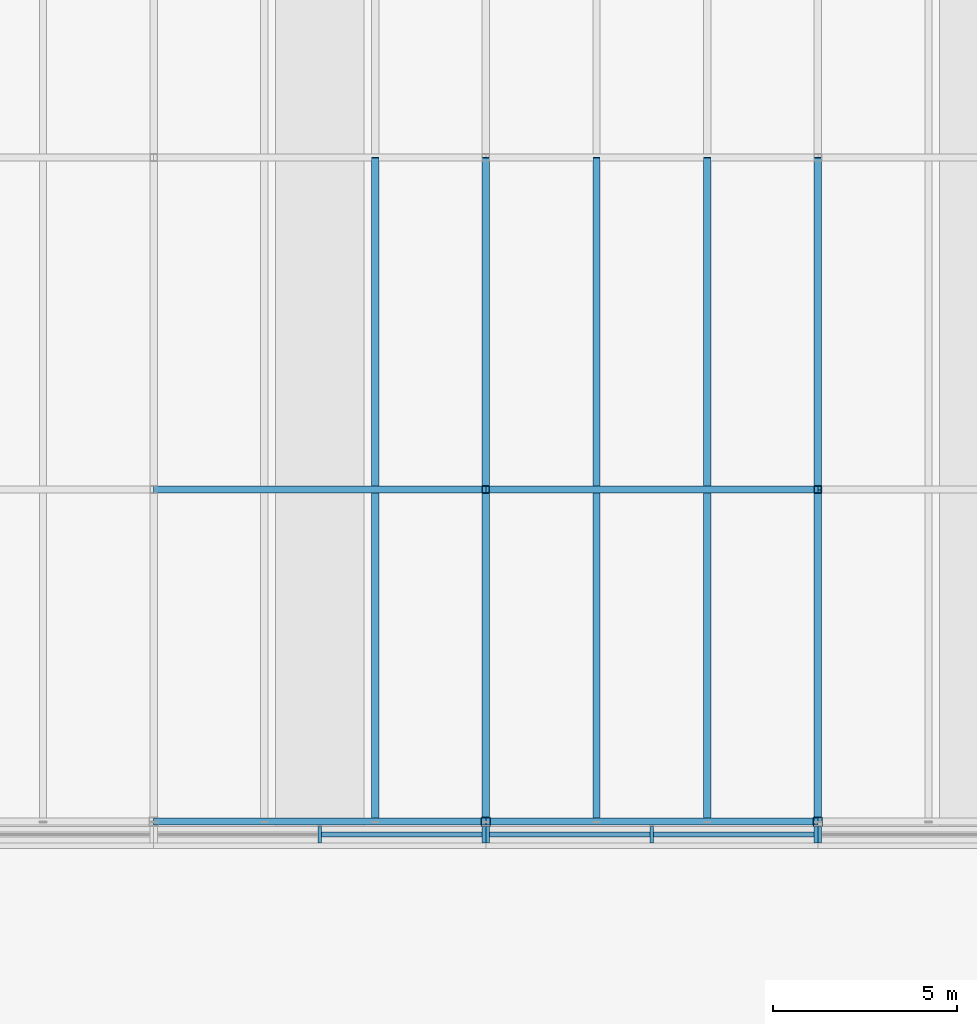
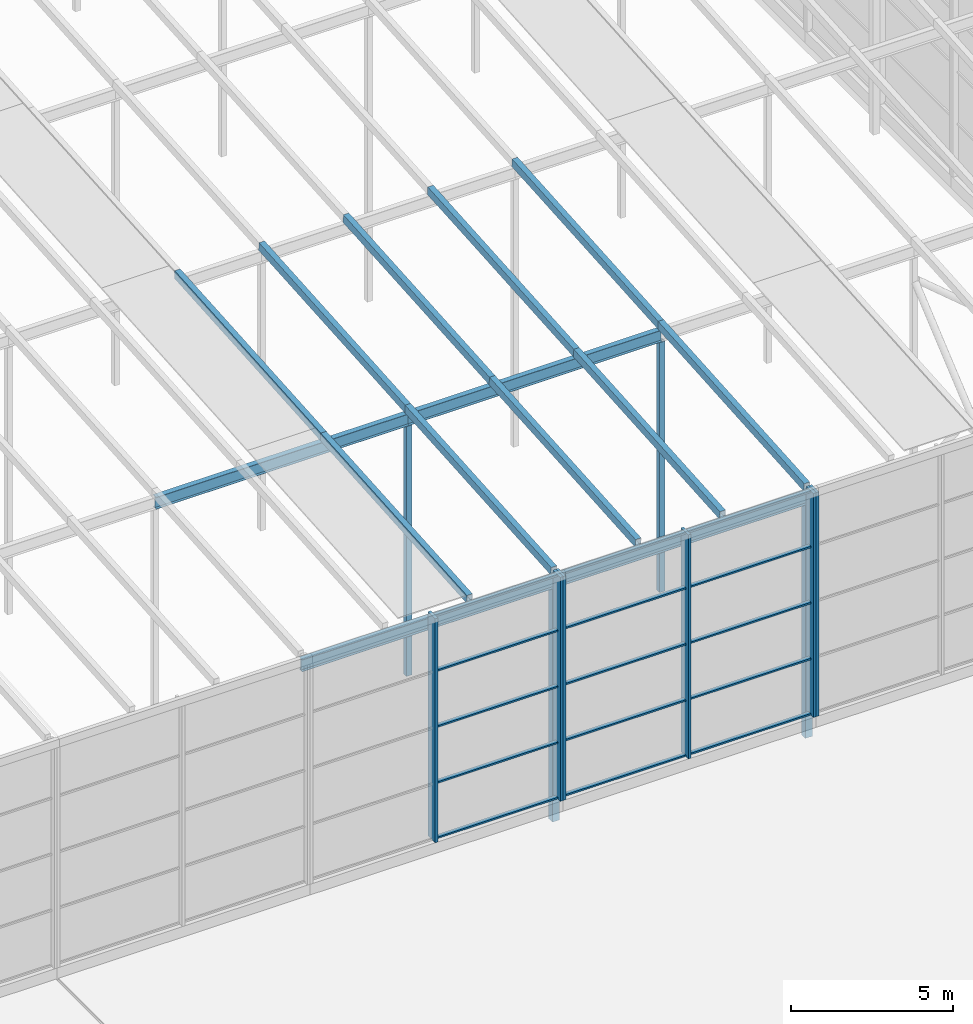
# One storey, part 17 of 84: 35 members, 4 beams, 3 elements without a shape of their own.
"""IFC4 building model written with IfcOpenShell, lengths in metres."""

from ifc_helpers import new_model, si_unit, direction, frame, origin, origin_2d, place, context, subcontext, project, spatial, rectangle, hollow_rectangle, i_section, extrude, material, material_profile, profile_set, type_object, element, aggregate, save


model = new_model("IFC4")

# Units and contexts
model_context = context("Model", 3, precision=1e-05, world=origin(), true_north=direction((0.0, 1.0)))
body_context = subcontext(model_context, "Body", "Model", "MODEL_VIEW")
ifc_project = project(units=[si_unit("LENGTHUNIT", "METRE"), si_unit("AREAUNIT", "SQUARE_METRE"), si_unit("VOLUMEUNIT", "CUBIC_METRE"), si_unit("PLANEANGLEUNIT", "RADIAN"), si_unit("MASSUNIT", "GRAM", prefix="KILO")], contexts=[model_context])

# Site, building, storey
site_placement = place(None, origin())
site = spatial("IfcSite", under=ifc_project, at=site_placement, CompositionType="ELEMENT")
building_placement = place(site_placement, origin())
building = spatial("IfcBuilding", under=site, at=building_placement, Name="Silverbay Arena", CompositionType="ELEMENT")
storey_placement = place(building_placement, frame((0.0, 0.0, 47.10009765625)))
storey = spatial("IfcBuildingStorey", under=building, at=storey_placement, Name="ROOF", CompositionType="ELEMENT", Elevation=47.10009765625)

# Curtain wall, members
ifc_material_1 = material(Name="Aluminium framed glazing", Category="aluminium")
curtain_wall_type = type_object("IfcCurtainWallType", Name="Curtain wall crown 9000 x 8425", PredefinedType="NOTDEFINED", material=ifc_material_1)
curtain_wall_1_placement = place(storey_placement, origin())
curtain_wall_1 = element("IfcCurtainWall", 1, at=curtain_wall_1_placement, inside=storey, type_object=curtain_wall_type, Name="ROOF CROWN CURTAIN WALL south bay 08", PredefinedType="NOTDEFINED")
ifc_material_2 = material(Name="Aluminium", Category="aluminium")
ifc_material_profile_1 = material_profile(ifc_material_2, rectangle(XDim=0.449951171875, YDim=0.10009765625, at=origin_2d()), Name="Mullion 100 x 450")
ifc_profile_set_1 = profile_set([ifc_material_profile_1], Name="Aluminium")
member_type_1 = type_object("IfcMemberType", Name="Mullion 100 x 450", PredefinedType="MULLION", material=ifc_profile_set_1)
placement = place(building_placement, frame((0.0, 0.0, 33.5)))
member_1_placement = place(placement, frame((148.5, 26.64990234375, 14.050048828125), z_axis=(0.0, 0.0, 1.0), x_axis=(0.0, 1.0, 0.0)))
member_1 = element("IfcMember", 2, at=member_1_placement, type_object=member_type_1, Name="CW62 mullion 2", PredefinedType="MULLION", context=body_context, shape_type="SweptSolid", body=[
    extrude(rectangle(XDim=0.449951171875, YDim=0.10009765625, at=origin_2d()), origin(), (0.0, 0.0, 1.0), 8.424560546875),
])
member_2_placement = place(placement, frame((152.949951171875, 26.64990234375, 14.050048828125), z_axis=(0.0, 0.0, 1.0), x_axis=(0.0, 1.0, 0.0)))
member_2 = element("IfcMember", 3, at=member_2_placement, type_object=member_type_1, Name="CW62 mullion 3", PredefinedType="MULLION", context=body_context, shape_type="SweptSolid", body=[
    extrude(rectangle(XDim=0.449951171875, YDim=0.10009765625, at=origin_2d()), origin(), (0.0, 0.0, 1.0), 8.424560546875),
])

curtain_wall_2_placement = place(storey_placement, origin())
curtain_wall_2 = element("IfcCurtainWall", 4, at=curtain_wall_2_placement, inside=storey, type_object=curtain_wall_type, Name="ROOF CROWN CURTAIN WALL south bay 09", PredefinedType="NOTDEFINED")
member_3_placement = place(placement, frame((153.050048828125, 26.64990234375, 14.050048828125), z_axis=(0.0, 0.0, 1.0), x_axis=(0.0, 1.0, 0.0)))
member_3 = element("IfcMember", 5, at=member_3_placement, type_object=member_type_1, Name="CW62 mullion 1", PredefinedType="MULLION", context=body_context, shape_type="SweptSolid", body=[
    extrude(rectangle(XDim=0.449951171875, YDim=0.10009765625, at=origin_2d()), origin(), (0.0, 0.0, 1.0), 8.424560546875),
])
member_4_placement = place(placement, frame((157.5, 26.64990234375, 14.050048828125), z_axis=(0.0, 0.0, 1.0), x_axis=(0.0, 1.0, 0.0)))
member_4 = element("IfcMember", 6, at=member_4_placement, type_object=member_type_1, Name="CW62 mullion 2", PredefinedType="MULLION", context=body_context, shape_type="SweptSolid", body=[
    extrude(rectangle(XDim=0.449951171875, YDim=0.10009765625, at=origin_2d()), origin(), (0.0, 0.0, 1.0), 8.424560546875),
])
member_5_placement = place(placement, frame((161.949951171875, 26.64990234375, 14.050048828125), z_axis=(0.0, 0.0, 1.0), x_axis=(0.0, 1.0, 0.0)))
member_5 = element("IfcMember", 7, at=member_5_placement, type_object=member_type_1, Name="CW62 mullion 3", PredefinedType="MULLION", context=body_context, shape_type="SweptSolid", body=[
    extrude(rectangle(XDim=0.449951171875, YDim=0.10009765625, at=origin_2d()), origin(), (0.0, 0.0, 1.0), 8.424560546875),
])

# Curtain wall, member
curtain_wall_3_placement = place(storey_placement, origin())
curtain_wall_3 = element("IfcCurtainWall", 8, at=curtain_wall_3_placement, inside=storey, type_object=curtain_wall_type, Name="ROOF CROWN CURTAIN WALL south bay 10", PredefinedType="NOTDEFINED")
member_6_placement = place(placement, frame((162.050048828125, 26.64990234375, 14.050048828125), z_axis=(0.0, 0.0, 1.0), x_axis=(0.0, 1.0, 0.0)))
member_6 = element("IfcMember", 9, at=member_6_placement, type_object=member_type_1, Name="CW62 mullion 1", PredefinedType="MULLION", context=body_context, shape_type="SweptSolid", body=[
    extrude(rectangle(XDim=0.449951171875, YDim=0.10009765625, at=origin_2d()), origin(), (0.0, 0.0, 1.0), 8.424560546875),
])
aggregate(curtain_wall_3, [member_6])

# Members
ifc_material_3 = material(Name="Steel S355", Category="steel")
ifc_material_profile_2 = material_profile(ifc_material_3, hollow_rectangle(XDim=0.199951171875, YDim=0.300048828125, WallThickness=0.00634765625, at=origin_2d()), Name="RHS 300x200x6.3")
ifc_profile_set_2 = profile_set([ifc_material_profile_2], Name="Steel S355")
member_type_2 = type_object("IfcMemberType", Name="Purlin RHS 300x200x6.3", PredefinedType="PURLIN", material=ifc_profile_set_2)
for number, where, z_axis, x_axis, name in (
    (10, (150.0, 27.0, 8.74951171875), (0.0, 0.997402911363, 0.072023832195), (-1.0, 0.0, 0.0), "ROOF PURLIN crown line 24 bay 01"),
    (11, (150.0, 36.0, 9.3994140625), (0.0, 0.997400967367, 0.07205074805), (-1.0, 0.0, 0.0), "ROOF PURLIN crown line 24 bay 02"),
    (12, (153.0, 27.0, 8.74951171875), (0.0, 0.997402911363, 0.072023832195), (-1.0, 0.0, 0.0), "ROOF PURLIN crown line 25 bay 01"),
    (13, (153.0, 36.0, 9.3994140625), (0.0, 0.997400967367, 0.07205074805), (-1.0, 0.0, 0.0), "ROOF PURLIN crown line 25 bay 02"),
    (14, (156.0, 27.0, 8.74951171875), (0.0, 0.997402911363, 0.072023832195), (-1.0, 0.0, 0.0), "ROOF PURLIN crown line 26 bay 01"),
    (15, (156.0, 36.0, 9.3994140625), (0.0, 0.997400967367, 0.07205074805), (-1.0, 0.0, 0.0), "ROOF PURLIN crown line 26 bay 02"),
    (16, (159.0, 27.0, 8.74951171875), (0.0, 0.997402911363, 0.072023832195), (-1.0, 0.0, 0.0), "ROOF PURLIN crown line 27 bay 01"),
    (17, (159.0, 36.0, 9.3994140625), (0.0, 0.997400967367, 0.07205074805), (-1.0, 0.0, 0.0), "ROOF PURLIN crown line 27 bay 02"),
    (18, (162.0, 27.0, 8.74951171875), (0.0, 0.997402911363, 0.072023832195), (-1.0, 0.0, 0.0), "ROOF PURLIN crown line 28 bay 01"),
    (19, (162.0, 36.0, 9.3994140625), (0.0, 0.997400967367, 0.07205074805), (-1.0, 0.0, 0.0), "ROOF PURLIN crown line 28 bay 02"),
):
    element("IfcMember", number, at=place(storey_placement, frame(where, z_axis=z_axis, x_axis=x_axis)), inside=storey, type_object=member_type_2, Name=name, PredefinedType="PURLIN", context=body_context, shape_type="SweptSolid", body=[
        extrude(hollow_rectangle(XDim=0.199951171875, YDim=0.300048828125, WallThickness=0.00634765625, at=origin_2d()), origin(), (0.0, 0.0, 1.0), 9.0234375),
    ])

# Beams
ifc_material_4 = material(Name="Steel S355", Category="steel")
ifc_material_profile_3 = material_profile(ifc_material_4, i_section(OverallWidth=0.18994140625, OverallDepth=0.453369140625, WebThickness=0.008544921875, FlangeThickness=0.0126953125, at=origin_2d()), Name="UB 457x191x67")
ifc_profile_set_3 = profile_set([ifc_material_profile_3], Name="Steel S355")
beam_type = type_object("IfcBeamType", Name="Ring beam UB 457x191x67", PredefinedType="BEAM", material=ifc_profile_set_3)
for number, where, z_axis, x_axis, name in (
    (20, (144.0, 27.0, 8.372314453125), (1.0, 0.0, 0.0), (0.0, 1.0, 0.0), "RING BEAM crown row 01 17-18"),
    (21, (153.0, 27.0, 8.372314453125), (1.0, 0.0, 0.0), (0.0, 1.0, 0.0), "RING BEAM crown row 01 18-19"),
    (22, (144.0, 36.0, 9.0224609375), (1.0, 0.0, 0.0), (0.0, 1.0, 0.0), "RING BEAM crown row 02 17-18"),
    (23, (153.0, 36.0, 9.0224609375), (1.0, 0.0, 0.0), (0.0, 1.0, 0.0), "RING BEAM crown row 02 18-19"),
):
    element("IfcBeam", number, at=place(storey_placement, frame(where, z_axis=z_axis, x_axis=x_axis)), inside=storey, type_object=beam_type, Name=name, PredefinedType="BEAM", context=body_context, shape_type="SweptSolid", body=[
        extrude(i_section(OverallWidth=0.18994140625, OverallDepth=0.453369140625, WebThickness=0.008544921875, FlangeThickness=0.0126953125, at=origin_2d()), origin(), (0.0, 0.0, 1.0), 9.0),
    ])

# Members
ifc_material_5 = material(Name="Steel S355", Category="steel")
ifc_material_profile_4 = material_profile(ifc_material_5, hollow_rectangle(XDim=0.199951171875, YDim=0.199951171875, WallThickness=0.008056640625, at=origin_2d()), Name="SHS 200x200x8")
ifc_profile_set_4 = profile_set([ifc_material_profile_4], Name="Steel S355")
member_type_3 = type_object("IfcMemberType", Name="Roof post SHS 200x200x8", PredefinedType="POST", material=ifc_profile_set_4)
for number, where, z_axis, x_axis, name in (
    (24, (153.0, 36.0, -0.60009765625), (0.0, 0.0, 1.0), (1.0, 0.0, 0.0), "ROOF CROWN POST 18 row 02"),
    (25, (162.0, 36.0, -0.60009765625), (0.0, 0.0, 1.0), (1.0, 0.0, 0.0), "ROOF CROWN POST 19 row 02"),
):
    element("IfcMember", number, at=place(storey_placement, frame(where, z_axis=z_axis, x_axis=x_axis)), inside=storey, type_object=member_type_3, Name=name, PredefinedType="POST", context=body_context, shape_type="SweptSolid", body=[
        extrude(hollow_rectangle(XDim=0.199951171875, YDim=0.199951171875, WallThickness=0.008056640625, at=origin_2d()), origin(), (0.0, 0.0, 1.0), 9.395751953125),
    ])
ifc_material_6 = material(Name="Steel S355", Category="steel")
ifc_material_profile_5 = material_profile(ifc_material_6, hollow_rectangle(XDim=0.25, YDim=0.25, WallThickness=0.008056640625, at=origin_2d()), Name="SHS 250x250x8")
ifc_profile_set_5 = profile_set([ifc_material_profile_5], Name="Steel S355")
member_type_4 = type_object("IfcMemberType", Name="Roof post SHS 250x250x8", PredefinedType="POST", material=ifc_profile_set_5)
for number, where, z_axis, x_axis, name in (
    (26, (153.0, 27.0, -0.60009765625), (0.0, 0.0, 1.0), (1.0, 0.0, 0.0), "ROOF CROWN POST 18 row 01"),
    (27, (162.0, 27.0, -0.60009765625), (0.0, 0.0, 1.0), (1.0, 0.0, 0.0), "ROOF CROWN POST 19 row 01"),
):
    element("IfcMember", number, at=place(storey_placement, frame(where, z_axis=z_axis, x_axis=x_axis)), inside=storey, type_object=member_type_4, Name=name, PredefinedType="POST", context=body_context, shape_type="SweptSolid", body=[
        extrude(hollow_rectangle(XDim=0.25, YDim=0.25, WallThickness=0.008056640625, at=origin_2d()), origin(), (0.0, 0.0, 1.0), 8.745849609375),
    ])

# Member
ifc_material_7 = material(Name="Aluminium", Category="aluminium")
ifc_material_profile_6 = material_profile(ifc_material_7, rectangle(XDim=0.139892578125, YDim=0.06005859375, at=origin_2d()), Name="Transom 60 x 140")
ifc_profile_set_6 = profile_set([ifc_material_profile_6], Name="Aluminium")
member_type_5 = type_object("IfcMemberType", Name="Transom 60 x 140", PredefinedType="USERDEFINED", material=ifc_profile_set_6)
member_7_placement = place(placement, frame((148.550048828125, 26.64990234375, 14.080078125), z_axis=(1.0, 0.0, 0.0), x_axis=(0.0, 1.0, 0.0)))
member_7 = element("IfcMember", 28, at=member_7_placement, type_object=member_type_5, Name="CW62 transom 2.1", ObjectType="TRANSOM", PredefinedType="USERDEFINED", context=body_context, shape_type="SweptSolid", body=[
    extrude(rectangle(XDim=0.139892578125, YDim=0.06005859375, at=origin_2d()), origin(), (0.0, 0.0, 1.0), 4.349853515625),
])

member_8_placement = place(placement, frame((148.550048828125, 26.64990234375, 16.15625), z_axis=(1.0, 0.0, 0.0), x_axis=(0.0, 1.0, 0.0)))
member_8 = element("IfcMember", 29, at=member_8_placement, type_object=member_type_5, Name="CW62 transom 2.2", ObjectType="TRANSOM", PredefinedType="USERDEFINED", context=body_context, shape_type="SweptSolid", body=[
    extrude(rectangle(XDim=0.139892578125, YDim=0.06005859375, at=origin_2d()), origin(), (0.0, 0.0, 1.0), 4.349853515625),
])

member_9_placement = place(placement, frame((148.550048828125, 26.64990234375, 18.262451171875), z_axis=(1.0, 0.0, 0.0), x_axis=(0.0, 1.0, 0.0)))
member_9 = element("IfcMember", 30, at=member_9_placement, type_object=member_type_5, Name="CW62 transom 2.3", ObjectType="TRANSOM", PredefinedType="USERDEFINED", context=body_context, shape_type="SweptSolid", body=[
    extrude(rectangle(XDim=0.139892578125, YDim=0.06005859375, at=origin_2d()), origin(), (0.0, 0.0, 1.0), 4.349853515625),
])

member_10_placement = place(placement, frame((148.550048828125, 26.64990234375, 20.36865234375), z_axis=(1.0, 0.0, 0.0), x_axis=(0.0, 1.0, 0.0)))
member_10 = element("IfcMember", 31, at=member_10_placement, type_object=member_type_5, Name="CW62 transom 2.4", ObjectType="TRANSOM", PredefinedType="USERDEFINED", context=body_context, shape_type="SweptSolid", body=[
    extrude(rectangle(XDim=0.139892578125, YDim=0.06005859375, at=origin_2d()), origin(), (0.0, 0.0, 1.0), 4.349853515625),
])

member_11_placement = place(placement, frame((148.550048828125, 26.64990234375, 22.44482421875), z_axis=(1.0, 0.0, 0.0), x_axis=(0.0, 1.0, 0.0)))
member_11 = element("IfcMember", 32, at=member_11_placement, type_object=member_type_5, Name="CW62 transom 2.5", ObjectType="TRANSOM", PredefinedType="USERDEFINED", context=body_context, shape_type="SweptSolid", body=[
    extrude(rectangle(XDim=0.139892578125, YDim=0.06005859375, at=origin_2d()), origin(), (0.0, 0.0, 1.0), 4.349853515625),
])

aggregate(curtain_wall_1, [member_1, member_2, member_7, member_8, member_9, member_10, member_11])

member_12_placement = place(placement, frame((153.10009765625, 26.64990234375, 14.080078125), z_axis=(1.0, 0.0, 0.0), x_axis=(0.0, 1.0, 0.0)))
member_12 = element("IfcMember", 33, at=member_12_placement, type_object=member_type_5, Name="CW62 transom 1.1", ObjectType="TRANSOM", PredefinedType="USERDEFINED", context=body_context, shape_type="SweptSolid", body=[
    extrude(rectangle(XDim=0.139892578125, YDim=0.06005859375, at=origin_2d()), origin(), (0.0, 0.0, 1.0), 4.349853515625),
])

member_13_placement = place(placement, frame((153.10009765625, 26.64990234375, 16.15625), z_axis=(1.0, 0.0, 0.0), x_axis=(0.0, 1.0, 0.0)))
member_13 = element("IfcMember", 34, at=member_13_placement, type_object=member_type_5, Name="CW62 transom 1.2", ObjectType="TRANSOM", PredefinedType="USERDEFINED", context=body_context, shape_type="SweptSolid", body=[
    extrude(rectangle(XDim=0.139892578125, YDim=0.06005859375, at=origin_2d()), origin(), (0.0, 0.0, 1.0), 4.349853515625),
])

member_14_placement = place(placement, frame((153.10009765625, 26.64990234375, 18.262451171875), z_axis=(1.0, 0.0, 0.0), x_axis=(0.0, 1.0, 0.0)))
member_14 = element("IfcMember", 35, at=member_14_placement, type_object=member_type_5, Name="CW62 transom 1.3", ObjectType="TRANSOM", PredefinedType="USERDEFINED", context=body_context, shape_type="SweptSolid", body=[
    extrude(rectangle(XDim=0.139892578125, YDim=0.06005859375, at=origin_2d()), origin(), (0.0, 0.0, 1.0), 4.349853515625),
])

member_15_placement = place(placement, frame((153.10009765625, 26.64990234375, 20.36865234375), z_axis=(1.0, 0.0, 0.0), x_axis=(0.0, 1.0, 0.0)))
member_15 = element("IfcMember", 36, at=member_15_placement, type_object=member_type_5, Name="CW62 transom 1.4", ObjectType="TRANSOM", PredefinedType="USERDEFINED", context=body_context, shape_type="SweptSolid", body=[
    extrude(rectangle(XDim=0.139892578125, YDim=0.06005859375, at=origin_2d()), origin(), (0.0, 0.0, 1.0), 4.349853515625),
])

member_16_placement = place(placement, frame((153.10009765625, 26.64990234375, 22.44482421875), z_axis=(1.0, 0.0, 0.0), x_axis=(0.0, 1.0, 0.0)))
member_16 = element("IfcMember", 37, at=member_16_placement, type_object=member_type_5, Name="CW62 transom 1.5", ObjectType="TRANSOM", PredefinedType="USERDEFINED", context=body_context, shape_type="SweptSolid", body=[
    extrude(rectangle(XDim=0.139892578125, YDim=0.06005859375, at=origin_2d()), origin(), (0.0, 0.0, 1.0), 4.349853515625),
])

member_17_placement = place(placement, frame((157.550048828125, 26.64990234375, 14.080078125), z_axis=(1.0, 0.0, 0.0), x_axis=(0.0, 1.0, 0.0)))
member_17 = element("IfcMember", 38, at=member_17_placement, type_object=member_type_5, Name="CW62 transom 2.1", ObjectType="TRANSOM", PredefinedType="USERDEFINED", context=body_context, shape_type="SweptSolid", body=[
    extrude(rectangle(XDim=0.139892578125, YDim=0.06005859375, at=origin_2d()), origin(), (0.0, 0.0, 1.0), 4.349853515625),
])

member_18_placement = place(placement, frame((157.550048828125, 26.64990234375, 16.15625), z_axis=(1.0, 0.0, 0.0), x_axis=(0.0, 1.0, 0.0)))
member_18 = element("IfcMember", 39, at=member_18_placement, type_object=member_type_5, Name="CW62 transom 2.2", ObjectType="TRANSOM", PredefinedType="USERDEFINED", context=body_context, shape_type="SweptSolid", body=[
    extrude(rectangle(XDim=0.139892578125, YDim=0.06005859375, at=origin_2d()), origin(), (0.0, 0.0, 1.0), 4.349853515625),
])

member_19_placement = place(placement, frame((157.550048828125, 26.64990234375, 18.262451171875), z_axis=(1.0, 0.0, 0.0), x_axis=(0.0, 1.0, 0.0)))
member_19 = element("IfcMember", 40, at=member_19_placement, type_object=member_type_5, Name="CW62 transom 2.3", ObjectType="TRANSOM", PredefinedType="USERDEFINED", context=body_context, shape_type="SweptSolid", body=[
    extrude(rectangle(XDim=0.139892578125, YDim=0.06005859375, at=origin_2d()), origin(), (0.0, 0.0, 1.0), 4.349853515625),
])

member_20_placement = place(placement, frame((157.550048828125, 26.64990234375, 20.36865234375), z_axis=(1.0, 0.0, 0.0), x_axis=(0.0, 1.0, 0.0)))
member_20 = element("IfcMember", 41, at=member_20_placement, type_object=member_type_5, Name="CW62 transom 2.4", ObjectType="TRANSOM", PredefinedType="USERDEFINED", context=body_context, shape_type="SweptSolid", body=[
    extrude(rectangle(XDim=0.139892578125, YDim=0.06005859375, at=origin_2d()), origin(), (0.0, 0.0, 1.0), 4.349853515625),
])

member_21_placement = place(placement, frame((157.550048828125, 26.64990234375, 22.44482421875), z_axis=(1.0, 0.0, 0.0), x_axis=(0.0, 1.0, 0.0)))
member_21 = element("IfcMember", 42, at=member_21_placement, type_object=member_type_5, Name="CW62 transom 2.5", ObjectType="TRANSOM", PredefinedType="USERDEFINED", context=body_context, shape_type="SweptSolid", body=[
    extrude(rectangle(XDim=0.139892578125, YDim=0.06005859375, at=origin_2d()), origin(), (0.0, 0.0, 1.0), 4.349853515625),
])

aggregate(curtain_wall_2, [member_3, member_4, member_5, member_12, member_13, member_14, member_15, member_16, member_17, member_18, member_19, member_20, member_21])

save(model, "model.ifc")
